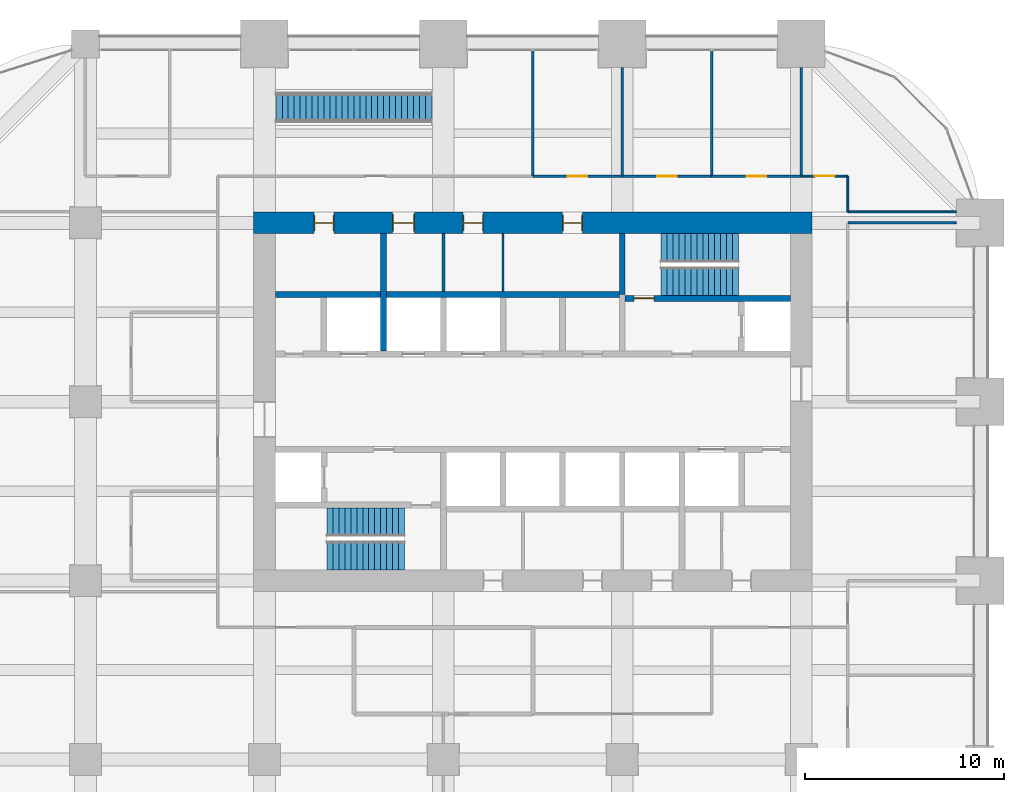
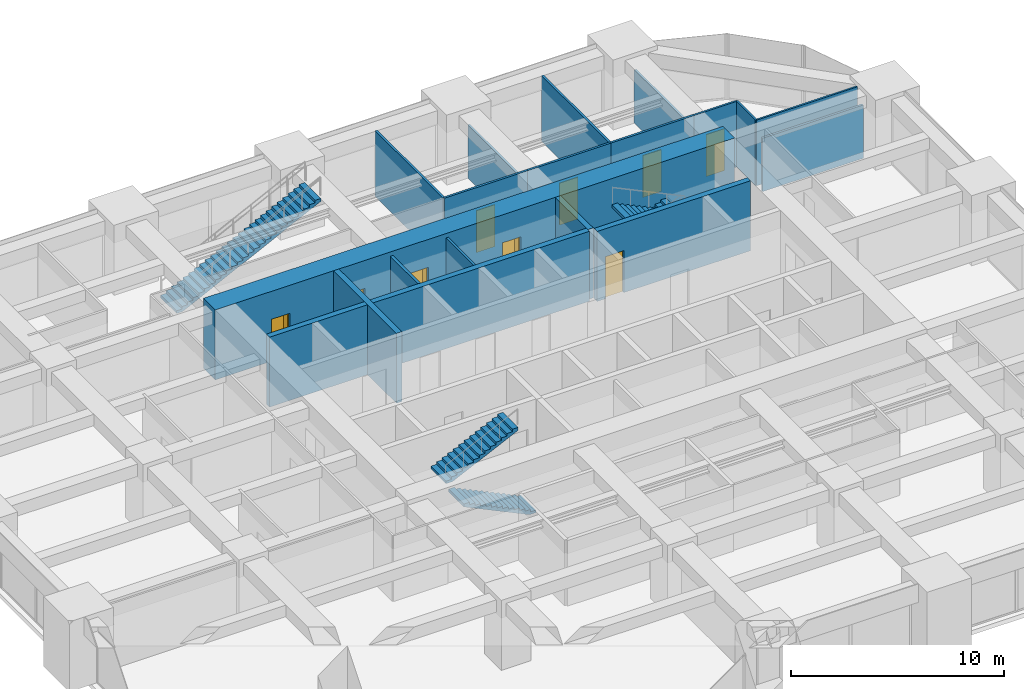
# One storey, part 31 of 33: 18 walls, 9 doors, 5 stair flights, 9 openings, 3 elements without a shape of their own.
"""IFC4 building model written with IfcOpenShell, lengths in metres."""

from ifc_helpers import new_model, si_unit, direction, frame, frame_2d, origin, place, context, subcontext, project, spatial, polyline, rectangle, outline, extrude, material, layer, layer_set, constituent, constituent_set, type_object, element, fill, aggregate, save


model = new_model("IFC4")

# Units and contexts
model_context = context("Model", 3, precision=1e-05, world=origin(), true_north=direction((0.0, 1.0)))
body_context = subcontext(model_context, "Body", "Model", "MODEL_VIEW")
ifc_project = project(units=[si_unit("LENGTHUNIT", "METRE"), si_unit("AREAUNIT", "SQUARE_METRE"), si_unit("VOLUMEUNIT", "CUBIC_METRE"), si_unit("PLANEANGLEUNIT", "RADIAN"), si_unit("MASSUNIT", "GRAM", prefix="KILO")], contexts=[model_context])

# Site, building, storey
site_placement = place(None, origin())
site = spatial("IfcSite", under=ifc_project, at=site_placement, CompositionType="ELEMENT")
building_placement = place(site_placement, origin())
building = spatial("IfcBuilding", under=site, at=building_placement, Name="Zorevar Civic Tower", CompositionType="ELEMENT")
storey_placement = place(building_placement, frame((0.0, 0.0, 194.199951171875)))
storey = spatial("IfcBuildingStorey", under=building, at=storey_placement, Name="L47", CompositionType="ELEMENT", Elevation=194.199951171875)

# Wall, openings, doors
ifc_material_1 = material(Name="Concrete C50/60", Category="concrete")
ifc_layer_1 = layer(ifc_material_1, 1.10009765625)
ifc_layer_set_1 = layer_set([ifc_layer_1], Name="Core wall 1100")
wall_type_1 = type_object("IfcWallType", Name="Core wall 1100", PredefinedType="SHEAR", material=ifc_layer_set_1)
wall_1_placement = place(storey_placement, frame((45.550048828125, 36.0, 0.0), z_axis=(0.0, 0.0, 1.0), x_axis=(-1.0, 0.0, 0.0)))
wall_1 = element("IfcWall", 1, at=wall_1_placement, inside=storey, type_object=wall_type_1, Name="Core wall N L47", PredefinedType="SHEAR", context=body_context, shape_type="SweptSolid", body=[
    extrude(rectangle(XDim=28.10009765625, YDim=1.10009765625, at=frame_2d((14.050048828125, 0.0))), origin(), (0.0, 0.0, 1.0), 4.0),
])
opening_1_placement = place(wall_1_placement, frame((11.550048828125, 0.0, 0.0)))
opening_1 = element("IfcOpeningElement", 2, at=opening_1_placement, cuts=wall_1, Name="Opening L47.07", PredefinedType="OPENING", context=body_context, shape_type="SweptSolid", body=[
    extrude(rectangle(XDim=1.0, YDim=2.39990234375, at=frame_2d((0.5, 1.199951171875))), frame((0.0, 0.56005859375, 0.0), z_axis=(0.0, -1.0, 0.0), x_axis=(1.0, 0.0, 0.0)), (0.0, 0.0, 1.0), 1.1201171875),
])
opening_2_placement = place(wall_1_placement, frame((16.550048828125, 0.0, 0.0)))
opening_2 = element("IfcOpeningElement", 3, at=opening_2_placement, cuts=wall_1, Name="Opening L47.08", PredefinedType="OPENING", context=body_context, shape_type="SweptSolid", body=[
    extrude(rectangle(XDim=1.0, YDim=2.39990234375, at=frame_2d((0.5, 1.199951171875))), frame((0.0, 0.56005859375, 0.0), z_axis=(0.0, -1.0, 0.0), x_axis=(1.0, 0.0, 0.0)), (0.0, 0.0, 1.0), 1.1201171875),
])
opening_3_placement = place(wall_1_placement, frame((20.0, 0.0, 0.0)))
opening_3 = element("IfcOpeningElement", 4, at=opening_3_placement, cuts=wall_1, Name="Opening L47.09", PredefinedType="OPENING", context=body_context, shape_type="SweptSolid", body=[
    extrude(rectangle(XDim=1.10009765625, YDim=2.39990234375, at=frame_2d((0.550048828125, 1.199951171875))), frame((0.0, 0.56005859375, 0.0), z_axis=(0.0, -1.0, 0.0), x_axis=(1.0, 0.0, 0.0)), (0.0, 0.0, 1.0), 1.1201171875),
])
opening_4_placement = place(wall_1_placement, frame((24.050048828125, 0.0, 0.0)))
opening_4 = element("IfcOpeningElement", 5, at=opening_4_placement, cuts=wall_1, Name="Opening L47.10", PredefinedType="OPENING", context=body_context, shape_type="SweptSolid", body=[
    extrude(rectangle(XDim=1.0, YDim=2.39990234375, at=frame_2d((0.5, 1.199951171875))), frame((0.0, 0.56005859375, 0.0), z_axis=(0.0, -1.0, 0.0), x_axis=(1.0, 0.0, 0.0)), (0.0, 0.0, 1.0), 1.1201171875),
])
ifc_material_2 = material(Name="Timber door set", Category="wood")
door_type_1 = type_object("IfcDoorType", Name="Door D1 1000x2400", OperationType="SINGLE_SWING_LEFT", PredefinedType="DOOR", material=ifc_material_2)
door_1_placement = place(opening_1_placement, origin())
door_1 = element("IfcDoor", 6, at=door_1_placement, inside=storey, type_object=door_type_1, Name="Door L47 06", OperationType="SINGLE_SWING_RIGHT", OverallHeight=2.39990234375, OverallWidth=1.0, PredefinedType="DOOR", context=body_context, shape_type="SweptSolid", body=[
    extrude(rectangle(XDim=1.0, YDim=2.39990234375, at=frame_2d((0.5, 1.199951171875))), frame((0.0, 0.02490234375, 0.0), z_axis=(0.0, -1.0, 0.0), x_axis=(1.0, 0.0, 0.0)), (0.0, 0.0, 1.0), 0.050048828125),
    extrude(rectangle(XDim=0.04, YDim=2.39990234375, at=frame_2d((0.02001953125, 1.199951171875))), frame((0.0, 0.39990234375, 0.0), z_axis=(0.0, -1.0, 0.0), x_axis=(1.0, 0.0, 0.0)), (0.0, 0.0, 1.0), 0.800048828125),
    extrude(rectangle(XDim=0.04, YDim=2.39990234375, at=frame_2d((0.97998046875, 1.199951171875))), frame((0.0, 0.39990234375, 0.0), z_axis=(0.0, -1.0, 0.0), x_axis=(1.0, 0.0, 0.0)), (0.0, 0.0, 1.0), 0.800048828125),
    extrude(rectangle(XDim=1.0, YDim=0.04, at=frame_2d((0.5, 2.3798828125))), frame((0.0, 0.39990234375, 0.0), z_axis=(0.0, -1.0, 0.0), x_axis=(1.0, 0.0, 0.0)), (0.0, 0.0, 1.0), 0.800048828125),
])
fill(opening_1, door_1)
door_2_placement = place(opening_2_placement, origin())
door_2 = element("IfcDoor", 7, at=door_2_placement, inside=storey, type_object=door_type_1, Name="Door L47 07", OperationType="SINGLE_SWING_LEFT", OverallHeight=2.39990234375, OverallWidth=1.0, PredefinedType="DOOR", context=body_context, shape_type="SweptSolid", body=[
    extrude(rectangle(XDim=1.0, YDim=2.39990234375, at=frame_2d((0.5, 1.199951171875))), frame((0.0, 0.02490234375, 0.0), z_axis=(0.0, -1.0, 0.0), x_axis=(1.0, 0.0, 0.0)), (0.0, 0.0, 1.0), 0.050048828125),
    extrude(rectangle(XDim=0.04, YDim=2.39990234375, at=frame_2d((0.02001953125, 1.199951171875))), frame((0.0, 0.39990234375, 0.0), z_axis=(0.0, -1.0, 0.0), x_axis=(1.0, 0.0, 0.0)), (0.0, 0.0, 1.0), 0.800048828125),
    extrude(rectangle(XDim=0.04, YDim=2.39990234375, at=frame_2d((0.97998046875, 1.199951171875))), frame((0.0, 0.39990234375, 0.0), z_axis=(0.0, -1.0, 0.0), x_axis=(1.0, 0.0, 0.0)), (0.0, 0.0, 1.0), 0.800048828125),
    extrude(rectangle(XDim=1.0, YDim=0.04, at=frame_2d((0.5, 2.3798828125))), frame((0.0, 0.39990234375, 0.0), z_axis=(0.0, -1.0, 0.0), x_axis=(1.0, 0.0, 0.0)), (0.0, 0.0, 1.0), 0.800048828125),
])
fill(opening_2, door_2)
door_3_placement = place(opening_4_placement, origin())
door_3 = element("IfcDoor", 8, at=door_3_placement, inside=storey, type_object=door_type_1, Name="Door L47 09", OperationType="SINGLE_SWING_LEFT", OverallHeight=2.39990234375, OverallWidth=1.0, PredefinedType="DOOR", context=body_context, shape_type="SweptSolid", body=[
    extrude(rectangle(XDim=1.0, YDim=2.39990234375, at=frame_2d((0.5, 1.199951171875))), frame((0.0, 0.02490234375, 0.0), z_axis=(0.0, -1.0, 0.0), x_axis=(1.0, 0.0, 0.0)), (0.0, 0.0, 1.0), 0.050048828125),
    extrude(rectangle(XDim=0.04, YDim=2.39990234375, at=frame_2d((0.02001953125, 1.199951171875))), frame((0.0, 0.39990234375, 0.0), z_axis=(0.0, -1.0, 0.0), x_axis=(1.0, 0.0, 0.0)), (0.0, 0.0, 1.0), 0.800048828125),
    extrude(rectangle(XDim=0.04, YDim=2.39990234375, at=frame_2d((0.97998046875, 1.199951171875))), frame((0.0, 0.39990234375, 0.0), z_axis=(0.0, -1.0, 0.0), x_axis=(1.0, 0.0, 0.0)), (0.0, 0.0, 1.0), 0.800048828125),
    extrude(rectangle(XDim=1.0, YDim=0.04, at=frame_2d((0.5, 2.3798828125))), frame((0.0, 0.39990234375, 0.0), z_axis=(0.0, -1.0, 0.0), x_axis=(1.0, 0.0, 0.0)), (0.0, 0.0, 1.0), 0.800048828125),
])
fill(opening_4, door_3)
ifc_material_3 = material(Name="Timber door set", Category="wood")
door_type_2 = type_object("IfcDoorType", Name="Door D5 1100x2400", OperationType="SINGLE_SWING_LEFT", PredefinedType="DOOR", material=ifc_material_3)
door_4_placement = place(opening_3_placement, origin())
door_4 = element("IfcDoor", 9, at=door_4_placement, inside=storey, type_object=door_type_2, Name="Door L47 08", OperationType="SINGLE_SWING_LEFT", OverallHeight=2.39990234375, OverallWidth=1.10009765625, PredefinedType="DOOR", context=body_context, shape_type="SweptSolid", body=[
    extrude(rectangle(XDim=1.10009765625, YDim=2.39990234375, at=frame_2d((0.550048828125, 1.199951171875))), frame((0.0, 0.02490234375, 0.0), z_axis=(0.0, -1.0, 0.0), x_axis=(1.0, 0.0, 0.0)), (0.0, 0.0, 1.0), 0.050048828125),
    extrude(rectangle(XDim=0.04, YDim=2.39990234375, at=frame_2d((0.02001953125, 1.199951171875))), frame((0.0, 0.43994140625, 0.0), z_axis=(0.0, -1.0, 0.0), x_axis=(1.0, 0.0, 0.0)), (0.0, 0.0, 1.0), 0.880126953125),
    extrude(rectangle(XDim=0.04, YDim=2.39990234375, at=frame_2d((1.080078125, 1.199951171875))), frame((0.0, 0.43994140625, 0.0), z_axis=(0.0, -1.0, 0.0), x_axis=(1.0, 0.0, 0.0)), (0.0, 0.0, 1.0), 0.880126953125),
    extrude(rectangle(XDim=1.10009765625, YDim=0.04, at=frame_2d((0.550048828125, 2.3798828125))), frame((0.0, 0.43994140625, 0.0), z_axis=(0.0, -1.0, 0.0), x_axis=(1.0, 0.0, 0.0)), (0.0, 0.0, 1.0), 0.880126953125),
])
fill(opening_3, door_4)

# Wall
ifc_material_4 = material(Name="Laminated glass in black aluminium frame", Category="aluminium")
ifc_layer_2 = layer(ifc_material_4, 0.10009765625)
ifc_layer_set_2 = layer_set([ifc_layer_2], Name="Glazed partition 100")
wall_type_2 = type_object("IfcWallType", Name="Glazed partition 100", PredefinedType="PARTITIONING", material=ifc_layer_set_2)
wall_2_placement = place(storey_placement, frame((47.35009765625, 36.550048828125, 0.0), z_axis=(0.0, 0.0, 1.0), x_axis=(1.0, 0.0, 0.0)))
element("IfcWall", 10, at=wall_2_placement, inside=storey, type_object=wall_type_2, Name="Glazed partition 100 L47", PredefinedType="PARTITIONING", context=body_context, shape_type="SweptSolid", body=[
    extrude(rectangle(XDim=5.449951171875, YDim=0.10009765625, at=frame_2d((2.72509765625, 0.0))), origin(), (0.0, 0.0, 1.0), 3.75),
])

# Wall, opening, door
wall_3_placement = place(storey_placement, frame((45.0, 38.35009765625, 0.0), z_axis=(0.0, 0.0, 1.0), x_axis=(1.0, 0.0, 0.0)))
wall_3 = element("IfcWall", 11, at=wall_3_placement, inside=storey, type_object=wall_type_2, Name="Glazed partition 100 L47", PredefinedType="PARTITIONING", context=body_context, shape_type="SweptSolid", body=[
    extrude(rectangle(XDim=2.35009765625, YDim=0.10009765625, at=frame_2d((1.175048828125, 0.0))), origin(), (0.0, 0.0, 1.0), 3.75),
])
opening_5_placement = place(wall_3_placement, frame((0.675048828125, 0.0, 0.0)))
opening_5 = element("IfcOpeningElement", 12, at=opening_5_placement, cuts=wall_3, Name="Opening L47.26", PredefinedType="OPENING", context=body_context, shape_type="SweptSolid", body=[
    extrude(rectangle(XDim=1.0, YDim=2.39990234375, at=frame_2d((0.5, 1.199951171875))), frame((0.0, 0.06005859375, 0.0), z_axis=(0.0, -1.0, 0.0), x_axis=(1.0, 0.0, 0.0)), (0.0, 0.0, 1.0), 0.1201171875),
])
ifc_material_5 = material(Name="Timber door set", Category="wood")
door_type_3 = type_object("IfcDoorType", Name="Glazed door GD1 1000x2400", OperationType="SINGLE_SWING_LEFT", PredefinedType="DOOR", material=ifc_material_5)
door_5_placement = place(opening_5_placement, origin())
door_5 = element("IfcDoor", 13, at=door_5_placement, inside=storey, type_object=door_type_3, Name="Door L47 D1", OperationType="SINGLE_SWING_RIGHT", OverallHeight=2.39990234375, OverallWidth=1.0, PredefinedType="DOOR", context=body_context, shape_type="SweptSolid", body=[
    extrude(rectangle(XDim=1.0, YDim=2.39990234375, at=frame_2d((0.5, 1.199951171875))), frame((0.0, 0.02001953125, 0.0), z_axis=(0.0, -1.0, 0.0), x_axis=(1.0, 0.0, 0.0)), (0.0, 0.0, 1.0), 0.0400390625),
])
fill(opening_5, door_5)

# Wall
wall_4_placement = place(storey_placement, frame((47.35009765625, 36.550048828125, 0.0), z_axis=(0.0, 0.0, 1.0), x_axis=(0.0, 1.0, 0.0)))
element("IfcWall", 14, at=wall_4_placement, inside=storey, type_object=wall_type_2, Name="Glazed partition 100 L47", PredefinedType="PARTITIONING", context=body_context, shape_type="SweptSolid", body=[
    extrude(rectangle(XDim=1.800048828125, YDim=0.10009765625, at=frame_2d((0.89990234375, 0.0))), origin(), (0.0, 0.0, 1.0), 3.75),
])

# Wall, opening, door
ifc_material_6 = material(Name="Concrete C40/50", Category="concrete")
ifc_layer_3 = layer(ifc_material_6, 0.300048828125)
ifc_layer_set_3 = layer_set([ifc_layer_3], Name="Inner core wall 300")
wall_type_3 = type_object("IfcWallType", Name="Inner core wall 300", PredefinedType="SHEAR", material=ifc_layer_set_3)
wall_5_placement = place(storey_placement, frame((36.14990234375, 32.199951171875, 0.0), z_axis=(0.0, 0.0, 1.0), x_axis=(1.0, 0.0, 0.0)))
wall_5 = element("IfcWall", 15, at=wall_5_placement, inside=storey, type_object=wall_type_3, Name="Inner core wall N00 L47", PredefinedType="SHEAR", context=body_context, shape_type="SweptSolid", body=[
    extrude(rectangle(XDim=8.300048828125, YDim=0.300048828125, at=frame_2d((4.14990234375, 0.0))), origin(), (0.0, 0.0, 1.0), 4.0),
])
opening_6_placement = place(wall_5_placement, frame((0.449951171875, 0.0, 0.0)))
opening_6 = element("IfcOpeningElement", 16, at=opening_6_placement, cuts=wall_5, Name="Opening L47.12", PredefinedType="OPENING", context=body_context, shape_type="SweptSolid", body=[
    extrude(rectangle(XDim=1.0, YDim=2.39990234375, at=frame_2d((0.5, 1.199951171875))), frame((0.0, 0.159912109375, 0.0), z_axis=(0.0, -1.0, 0.0), x_axis=(1.0, 0.0, 0.0)), (0.0, 0.0, 1.0), 0.320068359375),
])
ifc_material_7 = material(Name="Steel door set", Category="steel")
door_type_4 = type_object("IfcDoorType", Name="Fire door FD1 1000x2400", OperationType="SINGLE_SWING_LEFT", PredefinedType="DOOR", material=ifc_material_7)
door_6_placement = place(opening_6_placement, origin())
door_6 = element("IfcDoor", 17, at=door_6_placement, inside=storey, type_object=door_type_4, Name="Door L47 11", OperationType="SINGLE_SWING_RIGHT", OverallHeight=2.39990234375, OverallWidth=1.0, PredefinedType="DOOR", context=body_context, shape_type="SweptSolid", body=[
    extrude(rectangle(XDim=1.0, YDim=2.39990234375, at=frame_2d((0.5, 1.199951171875))), frame((0.0, 0.030029296875, 0.0), z_axis=(0.0, -1.0, 0.0), x_axis=(1.0, 0.0, 0.0)), (0.0, 0.0, 1.0), 0.06005859375),
])
fill(opening_6, door_6)

# Walls
wall_6_placement = place(storey_placement, frame((36.0, 32.39990234375, 0.0), z_axis=(0.0, 0.0, 1.0), x_axis=(0.0, 1.0, 0.0)))
element("IfcWall", 18, at=wall_6_placement, inside=storey, type_object=wall_type_3, Name="Inner core wall N01 L47", PredefinedType="SHEAR", context=body_context, shape_type="SweptSolid", body=[
    extrude(rectangle(XDim=3.050048828125, YDim=0.300048828125, at=frame_2d((1.52490234375, 0.0))), origin(), (0.0, 0.0, 1.0), 4.0),
])
wall_7_placement = place(storey_placement, frame((18.550048828125, 32.39990234375, 0.0), z_axis=(0.0, 0.0, 1.0), x_axis=(1.0, 0.0, 0.0)))
element("IfcWall", 19, at=wall_7_placement, inside=storey, type_object=wall_type_3, Name="Inner core wall N04 L47", PredefinedType="SHEAR", context=body_context, shape_type="SweptSolid", body=[
    extrude(rectangle(XDim=17.300048828125, YDim=0.300048828125, at=frame_2d((8.64990234375, 0.0))), origin(), (0.0, 0.0, 1.0), 4.0),
])
wall_8_placement = place(storey_placement, frame((24.0, 29.550048828125, 0.0), z_axis=(0.0, 0.0, 1.0), x_axis=(0.0, 1.0, 0.0)))
element("IfcWall", 20, at=wall_8_placement, inside=storey, type_object=wall_type_3, Name="Inner core wall N08 L47", PredefinedType="SHEAR", context=body_context, shape_type="SweptSolid", body=[
    extrude(rectangle(XDim=5.89990234375, YDim=0.300048828125, at=frame_2d((2.949951171875, 0.0))), origin(), (0.0, 0.0, 1.0), 4.0),
])
ifc_material_8 = material(Name="Gypsum board on steel studs", Category="steel")
ifc_layer_4 = layer(ifc_material_8, 0.1201171875)
ifc_layer_set_4 = layer_set([ifc_layer_4], Name="Partition 120")
wall_type_4 = type_object("IfcWallType", Name="Partition 120", PredefinedType="PARTITIONING", material=ifc_layer_set_4)
wall_9_placement = place(storey_placement, frame((47.35009765625, 36.0, 0.0), z_axis=(0.0, 0.0, 1.0), x_axis=(1.0, 0.0, 0.0)))
element("IfcWall", 21, at=wall_9_placement, inside=storey, type_object=wall_type_4, Name="Partition 120 L47", PredefinedType="PARTITIONING", context=body_context, shape_type="SweptSolid", body=[
    extrude(rectangle(XDim=5.449951171875, YDim=0.1201171875, at=frame_2d((2.72509765625, 0.0))), origin(), (0.0, 0.0, 1.0), 3.050048828125),
])

# Wall, opening, door
wall_10_placement = place(storey_placement, frame((31.5, 38.35009765625, 0.0), z_axis=(0.0, 0.0, 1.0), x_axis=(1.0, 0.0, 0.0)))
wall_10 = element("IfcWall", 22, at=wall_10_placement, inside=storey, type_object=wall_type_4, Name="Partition 120 L47", PredefinedType="PARTITIONING", context=body_context, shape_type="SweptSolid", body=[
    extrude(rectangle(XDim=4.5, YDim=0.1201171875, at=frame_2d((2.25, 0.0))), origin(), (0.0, 0.0, 1.0), 3.75),
])
opening_7_placement = place(wall_10_placement, frame((1.75, 0.0, 0.0)))
opening_7 = element("IfcOpeningElement", 23, at=opening_7_placement, cuts=wall_10, Name="Opening L47.22", PredefinedType="OPENING", context=body_context, shape_type="SweptSolid", body=[
    extrude(rectangle(XDim=1.0, YDim=2.39990234375, at=frame_2d((0.5, 1.199951171875))), frame((0.0, 0.070068359375, 0.0), z_axis=(0.0, -1.0, 0.0), x_axis=(1.0, 0.0, 0.0)), (0.0, 0.0, 1.0), 0.14013671875),
])
door_7_placement = place(opening_7_placement, origin())
door_7 = element("IfcDoor", 24, at=door_7_placement, inside=storey, type_object=door_type_1, Name="Door L47 D1", OperationType="SINGLE_SWING_RIGHT", OverallHeight=2.39990234375, OverallWidth=1.0, PredefinedType="DOOR", context=body_context, shape_type="SweptSolid", body=[
    extrude(rectangle(XDim=1.0, YDim=2.39990234375, at=frame_2d((0.5, 1.199951171875))), frame((0.0, 0.02490234375, 0.0), z_axis=(0.0, -1.0, 0.0), x_axis=(1.0, 0.0, 0.0)), (0.0, 0.0, 1.0), 0.050048828125),
])
fill(opening_7, door_7)

wall_11_placement = place(storey_placement, frame((36.0, 38.35009765625, 0.0), z_axis=(0.0, 0.0, 1.0), x_axis=(1.0, 0.0, 0.0)))
wall_11 = element("IfcWall", 25, at=wall_11_placement, inside=storey, type_object=wall_type_4, Name="Partition 120 L47", PredefinedType="PARTITIONING", context=body_context, shape_type="SweptSolid", body=[
    extrude(rectangle(XDim=4.5, YDim=0.1201171875, at=frame_2d((2.25, 0.0))), origin(), (0.0, 0.0, 1.0), 3.75),
])
opening_8_placement = place(wall_11_placement, frame((1.75, 0.0, 0.0)))
opening_8 = element("IfcOpeningElement", 26, at=opening_8_placement, cuts=wall_11, Name="Opening L47.23", PredefinedType="OPENING", context=body_context, shape_type="SweptSolid", body=[
    extrude(rectangle(XDim=1.0, YDim=2.39990234375, at=frame_2d((0.5, 1.199951171875))), frame((0.0, 0.070068359375, 0.0), z_axis=(0.0, -1.0, 0.0), x_axis=(1.0, 0.0, 0.0)), (0.0, 0.0, 1.0), 0.14013671875),
])
door_8_placement = place(opening_8_placement, origin())
door_8 = element("IfcDoor", 27, at=door_8_placement, inside=storey, type_object=door_type_1, Name="Door L47 D1", OperationType="SINGLE_SWING_LEFT", OverallHeight=2.39990234375, OverallWidth=1.0, PredefinedType="DOOR", context=body_context, shape_type="SweptSolid", body=[
    extrude(rectangle(XDim=1.0, YDim=2.39990234375, at=frame_2d((0.5, 1.199951171875))), frame((0.0, 0.02490234375, 0.0), z_axis=(0.0, -1.0, 0.0), x_axis=(1.0, 0.0, 0.0)), (0.0, 0.0, 1.0), 0.050048828125),
])
fill(opening_8, door_8)

wall_12_placement = place(storey_placement, frame((40.5, 38.35009765625, 0.0), z_axis=(0.0, 0.0, 1.0), x_axis=(1.0, 0.0, 0.0)))
wall_12 = element("IfcWall", 28, at=wall_12_placement, inside=storey, type_object=wall_type_4, Name="Partition 120 L47", PredefinedType="PARTITIONING", context=body_context, shape_type="SweptSolid", body=[
    extrude(rectangle(XDim=4.5, YDim=0.1201171875, at=frame_2d((2.25, 0.0))), origin(), (0.0, 0.0, 1.0), 3.75),
])
opening_9_placement = place(wall_12_placement, frame((1.75, 0.0, 0.0)))
opening_9 = element("IfcOpeningElement", 29, at=opening_9_placement, cuts=wall_12, Name="Opening L47.24", PredefinedType="OPENING", context=body_context, shape_type="SweptSolid", body=[
    extrude(rectangle(XDim=1.0, YDim=2.39990234375, at=frame_2d((0.5, 1.199951171875))), frame((0.0, 0.070068359375, 0.0), z_axis=(0.0, -1.0, 0.0), x_axis=(1.0, 0.0, 0.0)), (0.0, 0.0, 1.0), 0.14013671875),
])
door_9_placement = place(opening_9_placement, origin())
door_9 = element("IfcDoor", 30, at=door_9_placement, inside=storey, type_object=door_type_1, Name="Door L47 D1", OperationType="SINGLE_SWING_RIGHT", OverallHeight=2.39990234375, OverallWidth=1.0, PredefinedType="DOOR", context=body_context, shape_type="SweptSolid", body=[
    extrude(rectangle(XDim=1.0, YDim=2.39990234375, at=frame_2d((0.5, 1.199951171875))), frame((0.0, 0.02490234375, 0.0), z_axis=(0.0, -1.0, 0.0), x_axis=(1.0, 0.0, 0.0)), (0.0, 0.0, 1.0), 0.050048828125),
])
fill(opening_9, door_9)

# Walls
wall_13_placement = place(storey_placement, frame((31.5, 38.35009765625, 0.0), z_axis=(0.0, 0.0, 1.0), x_axis=(0.0, 1.0, 0.0)))
element("IfcWall", 31, at=wall_13_placement, inside=storey, type_object=wall_type_4, Name="Partition 120 L47", PredefinedType="PARTITIONING", context=body_context, shape_type="SweptSolid", body=[
    extrude(rectangle(XDim=6.33984375, YDim=0.1201171875, at=frame_2d((3.169921875, 0.0))), origin(), (0.0, 0.0, 1.0), 3.75),
])
wall_14_placement = place(storey_placement, frame((36.0, 38.35009765625, 0.0), z_axis=(0.0, 0.0, 1.0), x_axis=(0.0, 1.0, 0.0)))
element("IfcWall", 32, at=wall_14_placement, inside=storey, type_object=wall_type_4, Name="Partition 120 L47", PredefinedType="PARTITIONING", context=body_context, shape_type="SweptSolid", body=[
    extrude(rectangle(XDim=5.449951171875, YDim=0.1201171875, at=frame_2d((2.72509765625, 0.0))), origin(), (0.0, 0.0, 1.0), 3.050048828125),
])
wall_15_placement = place(storey_placement, frame((40.5, 38.35009765625, 0.0), z_axis=(0.0, 0.0, 1.0), x_axis=(0.0, 1.0, 0.0)))
element("IfcWall", 33, at=wall_15_placement, inside=storey, type_object=wall_type_4, Name="Partition 120 L47", PredefinedType="PARTITIONING", context=body_context, shape_type="SweptSolid", body=[
    extrude(rectangle(XDim=6.33984375, YDim=0.1201171875, at=frame_2d((3.169921875, 0.0))), origin(), (0.0, 0.0, 1.0), 3.75),
])
wall_16_placement = place(storey_placement, frame((45.0, 38.35009765625, 0.0), z_axis=(0.0, 0.0, 1.0), x_axis=(0.0, 1.0, 0.0)))
element("IfcWall", 34, at=wall_16_placement, inside=storey, type_object=wall_type_4, Name="Partition 120 L47", PredefinedType="PARTITIONING", context=body_context, shape_type="SweptSolid", body=[
    extrude(rectangle(XDim=5.449951171875, YDim=0.1201171875, at=frame_2d((2.72509765625, 0.0))), origin(), (0.0, 0.0, 1.0), 3.050048828125),
])
wall_17_placement = place(storey_placement, frame((30.0, 32.550048828125, 0.0), z_axis=(0.0, 0.0, 1.0), x_axis=(0.0, 1.0, 0.0)))
element("IfcWall", 35, at=wall_17_placement, inside=storey, type_object=wall_type_4, Name="Partition L47", PredefinedType="PARTITIONING", context=body_context, shape_type="SweptSolid", body=[
    extrude(rectangle(XDim=2.89990234375, YDim=0.1201171875, at=frame_2d((1.449951171875, 0.0))), origin(), (0.0, 0.0, 1.0), 3.75),
])
ifc_material_9 = material(Name="Gypsum board on steel studs, moisture resistant", Category="steel")
ifc_layer_5 = layer(ifc_material_9, 0.14990234375)
ifc_layer_set_5 = layer_set([ifc_layer_5], Name="WC partition 150")
wall_type_5 = type_object("IfcWallType", Name="WC partition 150", PredefinedType="PARTITIONING", material=ifc_layer_set_5)
wall_18_placement = place(storey_placement, frame((27.0, 32.550048828125, 0.0), z_axis=(0.0, 0.0, 1.0), x_axis=(0.0, 1.0, 0.0)))
element("IfcWall", 36, at=wall_18_placement, inside=storey, type_object=wall_type_5, Name="WC partition L47", PredefinedType="PARTITIONING", context=body_context, shape_type="SweptSolid", body=[
    extrude(rectangle(XDim=2.89990234375, YDim=0.14990234375, at=frame_2d((1.449951171875, 0.0))), origin(), (0.0, 0.0, 1.0), 3.75),
])

# Stair, stair flight
ifc_material_10 = material(Name="Steel S355", Category="steel")
ifc_constituent_1 = constituent(ifc_material_10, Name="Structure")
ifc_material_11 = material(Name="Stone treads", Category="masonry")
ifc_constituent_2 = constituent(ifc_material_11, Name="Finish")
ifc_constituent_set_1 = constituent_set(constituents=[ifc_constituent_1, ifc_constituent_2], Name="Steel S355")
stair_type_1 = type_object("IfcStairType", Name="Interconnecting stair IS1", PredefinedType="STRAIGHT_RUN_STAIR", material=ifc_constituent_set_1)
stair_1_placement = place(storey_placement, origin())
stair_1 = element("IfcStair", 37, at=stair_1_placement, inside=storey, type_object=stair_type_1, Name="Interconnecting stair IS1 L47 to L48", PredefinedType="STRAIGHT_RUN_STAIR")
ifc_material_12 = material(Name="Steel S355", Category="steel")
ifc_constituent_3 = constituent(ifc_material_12, Name="Structure")
ifc_material_13 = material(Name="Stone treads", Category="masonry")
ifc_constituent_4 = constituent(ifc_material_13, Name="Finish")
ifc_constituent_set_2 = constituent_set(constituents=[ifc_constituent_3, ifc_constituent_4], Name="Steel S355")
stair_flight_type_1 = type_object("IfcStairFlightType", Name="Interconnecting stair flight", PredefinedType="STRAIGHT", material=ifc_constituent_set_2)
stair_flight_1_placement = place(storey_placement, frame((18.60009765625, 41.800048828125, 0.0), z_axis=(0.0, 0.0, 1.0), x_axis=(1.0, 0.0, 0.0)))
stair_flight_1 = element("IfcStairFlight", 38, at=stair_flight_1_placement, type_object=stair_flight_type_1, Name="IS1 flight 1", NumberOfRisers=27, NumberOfTreads=26, PredefinedType="STRAIGHT", RiserHeight=0.148148148, TreadLength=0.3, context=body_context, shape_type="SweptSolid", body=[
    extrude(outline(polyline([(0.0, 0.0), (0.0, 0.148193359375), (0.300048828125, 0.148193359375), (0.300048828125, 0.29638671875), (0.60009765625, 0.29638671875), (0.60009765625, 0.4443359375), (0.89990234375, 0.4443359375), (0.89990234375, 0.592529296875), (1.199951171875, 0.592529296875), (1.199951171875, 0.74072265625), (1.5, 0.74072265625), (1.5, 0.888916015625), (1.800048828125, 0.888916015625), (1.800048828125, 1.037109375), (2.10009765625, 1.037109375), (2.10009765625, 1.185302734375), (2.39990234375, 1.185302734375), (2.39990234375, 1.333251953125), (2.699951171875, 1.333251953125), (2.699951171875, 1.4814453125), (3.0, 1.4814453125), (3.0, 1.629638671875), (3.300048828125, 1.629638671875), (3.300048828125, 1.77783203125), (3.60009765625, 1.77783203125), (3.60009765625, 1.926025390625), (3.89990234375, 1.926025390625), (3.89990234375, 2.073974609375), (4.199951171875, 2.073974609375), (4.199951171875, 2.22216796875), (4.5, 2.22216796875), (4.5, 2.370361328125), (4.800048828125, 2.370361328125), (4.800048828125, 2.5185546875), (5.10009765625, 2.5185546875), (5.10009765625, 2.666748046875), (5.39990234375, 2.666748046875), (5.39990234375, 2.814697265625), (5.699951171875, 2.814697265625), (5.699951171875, 2.962890625), (6.0, 2.962890625), (6.0, 3.111083984375), (6.300048828125, 3.111083984375), (6.300048828125, 3.25927734375), (6.60009765625, 3.25927734375), (6.60009765625, 3.407470703125), (6.89990234375, 3.407470703125), (6.89990234375, 3.5556640625), (7.199951171875, 3.5556640625), (7.199951171875, 3.70361328125), (7.5, 3.70361328125), (7.5, 3.851806640625), (7.800048828125, 3.851806640625), (7.800048828125, 4.0), (7.800048828125, 3.6845703125), (0.338623046875, 0.0), (0.0, 0.0)])), frame((0.0, 0.75, 0.0), z_axis=(0.0, -1.0, 0.0), x_axis=(1.0, 0.0, 0.0)), (0.0, 0.0, 1.0), 1.5),
])
aggregate(stair_1, [stair_flight_1])

# Stair, stair flights
ifc_material_14 = material(Name="Precast concrete C40/50", Category="concrete")
stair_type_2 = type_object("IfcStairType", Name="Stair ST 28R", PredefinedType="HALF_TURN_STAIR", material=ifc_material_14)
stair_2_placement = place(storey_placement, origin())
stair_2 = element("IfcStair", 39, at=stair_2_placement, inside=storey, type_object=stair_type_2, Name="Stair ST1 L47", PredefinedType="HALF_TURN_STAIR")
ifc_material_15 = material(Name="Precast concrete C40/50", Category="concrete")
stair_flight_type_2 = type_object("IfcStairFlightType", Name="Stair flight", PredefinedType="STRAIGHT", material=ifc_material_15)
stair_flight_2_placement = place(storey_placement, frame((25.050048828125, 19.262451171875, 0.0), z_axis=(0.0, 0.0, 1.0), x_axis=(-1.0, 0.0, 0.0)))
stair_flight_2 = element("IfcStairFlight", 40, at=stair_flight_2_placement, type_object=stair_flight_type_2, Name="ST1 flight 1", NumberOfRisers=14, NumberOfTreads=13, PredefinedType="STRAIGHT", RiserHeight=0.142857143, TreadLength=0.3, context=body_context, shape_type="SweptSolid", body=[
    extrude(outline(polyline([(0.0, 0.0), (0.0, 0.142822265625), (0.300048828125, 0.142822265625), (0.300048828125, 0.28564453125), (0.60009765625, 0.28564453125), (0.60009765625, 0.428466796875), (0.89990234375, 0.428466796875), (0.89990234375, 0.571533203125), (1.199951171875, 0.571533203125), (1.199951171875, 0.71435546875), (1.5, 0.71435546875), (1.5, 0.857177734375), (1.800048828125, 0.857177734375), (1.800048828125, 1.0), (2.10009765625, 1.0), (2.10009765625, 1.142822265625), (2.39990234375, 1.142822265625), (2.39990234375, 1.28564453125), (2.699951171875, 1.28564453125), (2.699951171875, 1.428466796875), (3.0, 1.428466796875), (3.0, 1.571533203125), (3.300048828125, 1.571533203125), (3.300048828125, 1.71435546875), (3.60009765625, 1.71435546875), (3.60009765625, 1.857177734375), (3.89990234375, 1.857177734375), (3.89990234375, 2.0), (3.89990234375, 1.691162109375), (0.3486328125, 0.0), (0.0, 0.0)])), frame((0.0, 0.71240234375, 0.0), z_axis=(0.0, -1.0, 0.0), x_axis=(1.0, 0.0, 0.0)), (0.0, 0.0, 1.0), 1.425048828125),
])
stair_flight_3_placement = place(storey_placement, frame((21.14990234375, 20.9375, 2.0), z_axis=(0.0, 0.0, 1.0), x_axis=(1.0, 0.0, 0.0)))
stair_flight_3 = element("IfcStairFlight", 41, at=stair_flight_3_placement, type_object=stair_flight_type_2, Name="ST1 flight 2", NumberOfRisers=14, NumberOfTreads=13, PredefinedType="STRAIGHT", RiserHeight=0.142857143, TreadLength=0.3, context=body_context, shape_type="SweptSolid", body=[
    extrude(outline(polyline([(0.0, 0.0), (0.0, 0.142822265625), (0.300048828125, 0.142822265625), (0.300048828125, 0.28564453125), (0.60009765625, 0.28564453125), (0.60009765625, 0.428466796875), (0.89990234375, 0.428466796875), (0.89990234375, 0.571533203125), (1.199951171875, 0.571533203125), (1.199951171875, 0.71435546875), (1.5, 0.71435546875), (1.5, 0.857177734375), (1.800048828125, 0.857177734375), (1.800048828125, 1.0), (2.10009765625, 1.0), (2.10009765625, 1.142822265625), (2.39990234375, 1.142822265625), (2.39990234375, 1.28564453125), (2.699951171875, 1.28564453125), (2.699951171875, 1.428466796875), (3.0, 1.428466796875), (3.0, 1.571533203125), (3.300048828125, 1.571533203125), (3.300048828125, 1.71435546875), (3.60009765625, 1.71435546875), (3.60009765625, 1.857177734375), (3.89990234375, 1.857177734375), (3.89990234375, 2.0), (3.89990234375, 1.691162109375), (0.3486328125, 0.0), (0.0, 0.0)])), frame((0.0, 0.71240234375, 0.0), z_axis=(0.0, -1.0, 0.0), x_axis=(1.0, 0.0, 0.0)), (0.0, 0.0, 1.0), 1.425048828125),
])
aggregate(stair_2, [stair_flight_2, stair_flight_3])

stair_3_placement = place(storey_placement, origin())
stair_3 = element("IfcStair", 42, at=stair_3_placement, inside=storey, type_object=stair_type_2, Name="Stair ST2 L47", PredefinedType="HALF_TURN_STAIR")
stair_flight_4_placement = place(storey_placement, frame((37.949951171875, 34.737548828125, 0.0), z_axis=(0.0, 0.0, 1.0), x_axis=(1.0, 0.0, 0.0)))
stair_flight_4 = element("IfcStairFlight", 43, at=stair_flight_4_placement, type_object=stair_flight_type_2, Name="ST2 flight 1", NumberOfRisers=14, NumberOfTreads=13, PredefinedType="STRAIGHT", RiserHeight=0.142857143, TreadLength=0.3, context=body_context, shape_type="SweptSolid", body=[
    extrude(outline(polyline([(0.0, 0.0), (0.0, 0.142822265625), (0.300048828125, 0.142822265625), (0.300048828125, 0.28564453125), (0.60009765625, 0.28564453125), (0.60009765625, 0.428466796875), (0.89990234375, 0.428466796875), (0.89990234375, 0.571533203125), (1.199951171875, 0.571533203125), (1.199951171875, 0.71435546875), (1.5, 0.71435546875), (1.5, 0.857177734375), (1.800048828125, 0.857177734375), (1.800048828125, 1.0), (2.10009765625, 1.0), (2.10009765625, 1.142822265625), (2.39990234375, 1.142822265625), (2.39990234375, 1.28564453125), (2.699951171875, 1.28564453125), (2.699951171875, 1.428466796875), (3.0, 1.428466796875), (3.0, 1.571533203125), (3.300048828125, 1.571533203125), (3.300048828125, 1.71435546875), (3.60009765625, 1.71435546875), (3.60009765625, 1.857177734375), (3.89990234375, 1.857177734375), (3.89990234375, 2.0), (3.89990234375, 1.691162109375), (0.3486328125, 0.0), (0.0, 0.0)])), frame((0.0, 0.71240234375, 0.0), z_axis=(0.0, -1.0, 0.0), x_axis=(1.0, 0.0, 0.0)), (0.0, 0.0, 1.0), 1.425048828125),
])
stair_flight_5_placement = place(storey_placement, frame((41.85009765625, 33.0625, 2.0), z_axis=(0.0, 0.0, 1.0), x_axis=(-1.0, 0.0, 0.0)))
stair_flight_5 = element("IfcStairFlight", 44, at=stair_flight_5_placement, type_object=stair_flight_type_2, Name="ST2 flight 2", NumberOfRisers=14, NumberOfTreads=13, PredefinedType="STRAIGHT", RiserHeight=0.142857143, TreadLength=0.3, context=body_context, shape_type="SweptSolid", body=[
    extrude(outline(polyline([(0.0, 0.0), (0.0, 0.142822265625), (0.300048828125, 0.142822265625), (0.300048828125, 0.28564453125), (0.60009765625, 0.28564453125), (0.60009765625, 0.428466796875), (0.89990234375, 0.428466796875), (0.89990234375, 0.571533203125), (1.199951171875, 0.571533203125), (1.199951171875, 0.71435546875), (1.5, 0.71435546875), (1.5, 0.857177734375), (1.800048828125, 0.857177734375), (1.800048828125, 1.0), (2.10009765625, 1.0), (2.10009765625, 1.142822265625), (2.39990234375, 1.142822265625), (2.39990234375, 1.28564453125), (2.699951171875, 1.28564453125), (2.699951171875, 1.428466796875), (3.0, 1.428466796875), (3.0, 1.571533203125), (3.300048828125, 1.571533203125), (3.300048828125, 1.71435546875), (3.60009765625, 1.71435546875), (3.60009765625, 1.857177734375), (3.89990234375, 1.857177734375), (3.89990234375, 2.0), (3.89990234375, 1.691162109375), (0.3486328125, 0.0), (0.0, 0.0)])), frame((0.0, 0.71240234375, 0.0), z_axis=(0.0, -1.0, 0.0), x_axis=(1.0, 0.0, 0.0)), (0.0, 0.0, 1.0), 1.425048828125),
])
aggregate(stair_3, [stair_flight_4, stair_flight_5])

save(model, "model.ifc")
